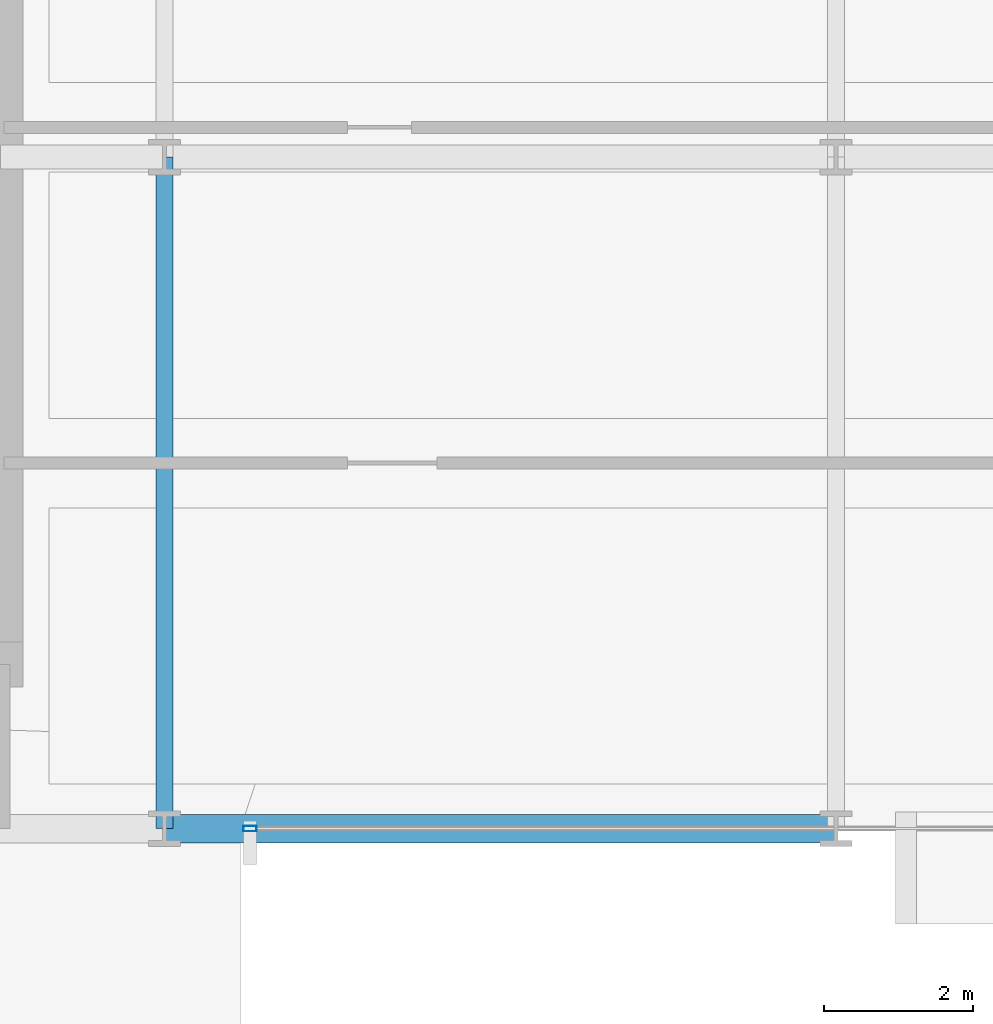
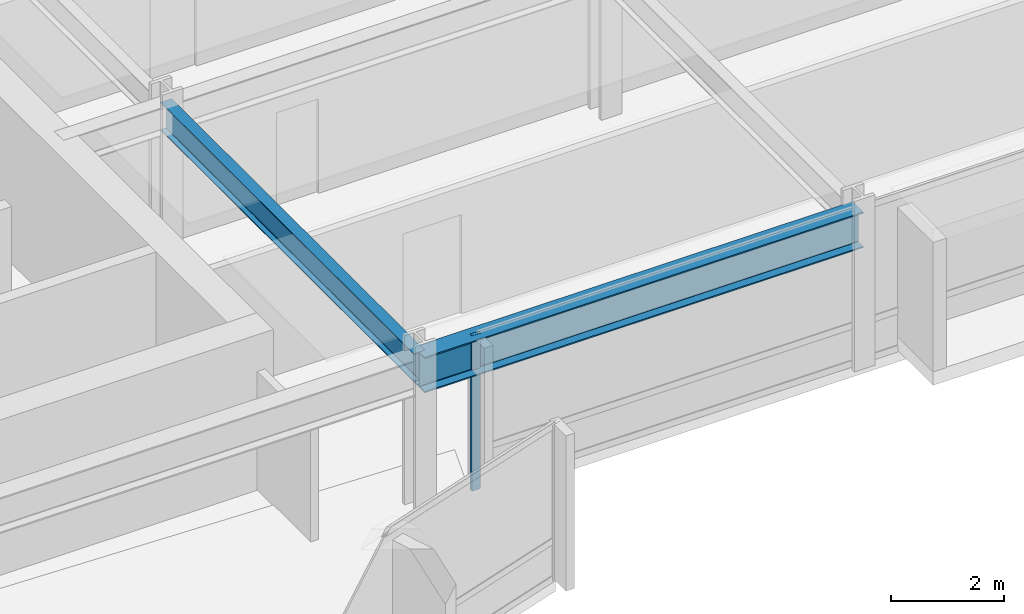
# One storey, part 12 of 35: 2 beams, 1 member, 1 element without a shape of its own.
"""IFC4 building model written with IfcOpenShell, lengths in metres."""

import ifcopenshell
import ifcopenshell.guid

model = None  # the IFC model being written
_history = None  # IfcOwnerHistory: only IFC2X3 demands one
_inside = {}  # id of a spatial element -> (the spatial element, [elements in it])
_under = {}  # id of a project, library or spatial element -> (it, [spatial elements below it])
_declared = {}  # id of a project -> (the project, [libraries it declares])
_typed = {}  # id of a type object -> (the type object, [elements of that type])
_made_of = {}  # id of a material, layer set ... -> (it, [elements and type objects made of it])


def new_model(schema):
    """Start an empty IFC model of exactly this schema.

    Asked for "IFC4X3", IfcOpenShell would pick the latest addendum, in which some entities
    have other attributes; the version numbers below select the first issue.
    IFC2X3 requires an IfcOwnerHistory on every rooted entity: one is made here for all.
    """
    global model, _history
    if schema == "IFC4X3":
        model = ifcopenshell.file(schema_version=(4, 3, 0, 0))
    else:
        model = ifcopenshell.file(schema=schema)
    _inside.clear()
    _under.clear()
    _declared.clear()
    _typed.clear()
    _made_of.clear()
    _history = None
    if model.schema == "IFC2X3":
        org = make("IfcOrganization", Name="unknown")
        user = make(
            "IfcPersonAndOrganization",
            ThePerson=make("IfcPerson", FamilyName="unknown"),
            TheOrganization=org,
        )
        app = make(
            "IfcApplication",
            ApplicationDeveloper=org,
            Version="unknown",
            ApplicationFullName="unknown",
            ApplicationIdentifier="unknown",
        )
        _history = make(
            "IfcOwnerHistory",
            OwningUser=user,
            OwningApplication=app,
            ChangeAction="ADDED",
            CreationDate=0,
        )
    return model


def make(cls, **values):
    """One entity of the class cls with the attributes given. An attribute that is None is left unset."""
    return model.create_entity(
        cls, **{name: value for name, value in values.items() if value is not None}
    )


def rooted(cls, **values):
    """An entity with a GlobalId (a new one), such as an element, a storey or a relation."""
    return make(cls, GlobalId=ifcopenshell.guid.new(), OwnerHistory=_history, **values)


def si_unit(unit_type, name, prefix=None):
    """IfcSIUnit, for example si_unit("LENGTHUNIT", "METRE", prefix="MILLI")."""
    return make("IfcSIUnit", UnitType=unit_type, Prefix=prefix, Name=name)


def assignment(units):
    """IfcUnitAssignment: the units of a project."""
    return None if units is None else make("IfcUnitAssignment", Units=units)


def point(xyz):
    """IfcCartesianPoint."""
    return None if xyz is None else make("IfcCartesianPoint", Coordinates=xyz)


def direction(xyz):
    """IfcDirection."""
    return None if xyz is None else make("IfcDirection", DirectionRatios=xyz)


def frame(location, z_axis=None, x_axis=None):
    """IfcAxis2Placement3D, a coordinate frame: its origin and axes. An axis left out is left unset."""
    return make(
        "IfcAxis2Placement3D",
        Location=point(location),
        Axis=direction(z_axis),
        RefDirection=direction(x_axis),
    )


def frame_2d(location, x_axis=None):
    """IfcAxis2Placement2D, a coordinate frame in the plane: its origin and x axis."""
    return make(
        "IfcAxis2Placement2D", Location=point(location), RefDirection=direction(x_axis)
    )


def origin():
    """The frame at (0, 0, 0) with its axes left unset."""
    return frame((0.0, 0.0, 0.0))


def origin_2d():
    """The frame at (0, 0) in the plane with its x axis left unset."""
    return frame_2d((0.0, 0.0))


def place(relative_to, where):
    """IfcLocalPlacement: puts the frame where relative to a parent placement (None: the world)."""
    return make(
        "IfcLocalPlacement", PlacementRelTo=relative_to, RelativePlacement=where
    )


def context(
    kind, dimensions, precision=None, world=None, true_north=None, identifier=None
):
    """IfcGeometricRepresentationContext, for example the 3D "Model" context."""
    return make(
        "IfcGeometricRepresentationContext",
        ContextIdentifier=identifier,
        ContextType=kind,
        CoordinateSpaceDimension=dimensions,
        Precision=precision,
        WorldCoordinateSystem=world,
        TrueNorth=true_north,
    )


def subcontext(parent, identifier, kind, view, scale=None):
    """IfcGeometricRepresentationSubContext, for example "Body" below "Model"."""
    return make(
        "IfcGeometricRepresentationSubContext",
        ContextIdentifier=identifier,
        ContextType=kind,
        ParentContext=parent,
        TargetScale=scale,
        TargetView=view,
    )


def project(units=None, contexts=None):
    """IfcProject with its units and contexts."""
    return rooted(
        "IfcProject",
        Name="project",
        RepresentationContexts=contexts,
        UnitsInContext=assignment(units),
    )


def spatial(cls, under=None, at=None, **own):
    """A site, building, storey or space (cls), placed at a placement, below another one or the project."""
    s = rooted(cls, ObjectPlacement=at, **own)
    if under is not None:
        _under.setdefault(under.id(), (under, []))[1].append(s)
    return s


def profile(cls, at=None, kind="AREA", **sizes):
    """A parametric profile (cls). Its sizes go by their IFC names, for example OverallWidth=200.0."""
    return make(cls, ProfileType=kind, Position=at, **sizes)


def hollow_rectangle(**sizes):
    """IfcRectangleHollowProfileDef."""
    return profile("IfcRectangleHollowProfileDef", **sizes)


def i_section(**sizes):
    """IfcIShapeProfileDef."""
    return profile("IfcIShapeProfileDef", **sizes)


def extrude(swept, where, along, depth):
    """IfcExtrudedAreaSolid: the profile swept, set in the frame where, extruded along a direction by depth."""
    return make(
        "IfcExtrudedAreaSolid",
        SweptArea=swept,
        Position=where,
        ExtrudedDirection=direction(along),
        Depth=depth,
    )


def shape(context_of_items, identifier, shape_type, items):
    """IfcShapeRepresentation: the items that make up one representation, for example the "Body"."""
    return make(
        "IfcShapeRepresentation",
        ContextOfItems=context_of_items,
        RepresentationIdentifier=identifier,
        RepresentationType=shape_type,
        Items=items,
    )


def material(Name=None, Category=None):
    """IfcMaterial."""
    return make("IfcMaterial", Name=Name, Category=Category)


def layer(
    of_material, thickness, ventilated=None, Name=None, Category=None, Priority=None
):
    """IfcMaterialLayer: one layer of a wall or slab, of a material (None: an air gap)."""
    return make(
        "IfcMaterialLayer",
        Material=of_material,
        LayerThickness=thickness,
        IsVentilated=ventilated,
        Name=Name,
        Category=Category,
        Priority=Priority,
    )


def layer_set(layers, Name=None):
    """IfcMaterialLayerSet."""
    return make("IfcMaterialLayerSet", MaterialLayers=layers, LayerSetName=Name)


def material_profile(
    of_material, cross_section, Name=None, Category=None, Priority=None
):
    """IfcMaterialProfile: a cross section and its material."""
    return make(
        "IfcMaterialProfile",
        Name=Name,
        Material=of_material,
        Profile=cross_section,
        Priority=Priority,
        Category=Category,
    )


def profile_set(profiles, Name=None, composite=None):
    """IfcMaterialProfileSet."""
    return make(
        "IfcMaterialProfileSet",
        Name=Name,
        MaterialProfiles=profiles,
        CompositeProfile=composite,
    )


def made_of(thing, what):
    """Note that an element or type object is made of a material, layer set ...; save() writes the relation."""
    if what is not None:
        _made_of.setdefault(what.id(), (what, []))[1].append(thing)
    return thing


def type_object(cls, material=None, **own):
    """A type object (cls), such as IfcWallType, which elements share."""
    return made_of(rooted(cls, **own), material)


def element(
    cls,
    number,
    at=None,
    inside=None,
    cuts=None,
    type_object=None,
    material=None,
    context=None,
    identifier="Body",
    shape_type=None,
    held_by="IfcProductDefinitionShape",
    body=None,
    shapes=None,
    **own,
):
    """One element of the class cls, such as IfcWall. Its Tag is "e" and its number.

    at: its placement. inside: the storey or other place that contains it. cuts: it is an
    opening in that element (IfcRelVoidsElement). A single representation is given by context,
    identifier, shape_type and body (its items); several are given by shapes. held_by: the class
    of the entity that holds the representations. save() writes the other relations.
    """
    e = rooted(cls, Tag="e%d" % number, ObjectPlacement=at, **own)
    if body is not None:
        shapes = [shape(context, identifier, shape_type, body)]
    if shapes is not None:
        e.Representation = make(held_by, Representations=shapes)
    if inside is not None:
        _inside.setdefault(inside.id(), (inside, []))[1].append(e)
    if cuts is not None:
        rooted(
            "IfcRelVoidsElement", RelatingBuildingElement=cuts, RelatedOpeningElement=e
        )
    if type_object is not None:
        _typed.setdefault(type_object.id(), (type_object, []))[1].append(e)
    return made_of(e, material)


def aggregate(whole, parts):
    """IfcRelAggregates: a whole, such as a stair, and the parts it consists of."""
    return rooted("IfcRelAggregates", RelatingObject=whole, RelatedObjects=parts)


def save(model, path):
    """Write the relations noted so far, then the file.

    IfcRelAggregates (storeys below a building ...), IfcRelContainedInSpatialStructure (elements
    in a storey), IfcRelDefinesByType, IfcRelAssociatesMaterial and IfcRelDeclares: one each for
    every whole, place, type object, material and project.
    """
    for whole, parts in _under.values():
        aggregate(whole, parts)
    for where, things in _inside.values():
        rooted(
            "IfcRelContainedInSpatialStructure",
            RelatedElements=things,
            RelatingStructure=where,
        )
    for kind, things in _typed.values():
        rooted("IfcRelDefinesByType", RelatedObjects=things, RelatingType=kind)
    for what, things in _made_of.values():
        rooted("IfcRelAssociatesMaterial", RelatedObjects=things, RelatingMaterial=what)
    for by, libraries in _declared.values():
        rooted("IfcRelDeclares", RelatingContext=by, RelatedDefinitions=libraries)
    model.write(path)


model = new_model("IFC4")

# Units and contexts
model_context = context("Model", 3, precision=1e-05, world=origin(), true_north=direction((0.0, 1.0)))
body_context = subcontext(model_context, "Body", "Model", "MODEL_VIEW")
ifc_project = project(units=[si_unit("LENGTHUNIT", "METRE"), si_unit("AREAUNIT", "SQUARE_METRE"), si_unit("VOLUMEUNIT", "CUBIC_METRE"), si_unit("PLANEANGLEUNIT", "RADIAN"), si_unit("MASSUNIT", "GRAM", prefix="KILO")], contexts=[model_context])

# Site, building, storey
site_placement = place(None, origin())
site = spatial("IfcSite", under=ifc_project, at=site_placement, CompositionType="ELEMENT")
building_placement = place(site_placement, origin())
building = spatial("IfcBuilding", under=site, at=building_placement, Name="Solvaryn Broadcast Tower", CompositionType="ELEMENT")
storey_placement = place(building_placement, frame((0.0, 0.0, 80.39990234375)))
storey = spatial("IfcBuildingStorey", under=building, at=storey_placement, Name="L19", CompositionType="ELEMENT", Elevation=80.39990234375)

# Beams
ifc_material_1 = material(Name="Steel ASTM A992 Grade 50", Category="steel")
ifc_material_profile_1 = material_profile(ifc_material_1, i_section(OverallWidth=0.22802734375, OverallDepth=0.60791015625, WebThickness=0.01123046875, FlangeThickness=0.017333984375, FilletRadius=0.014892578125, at=origin_2d()))
ifc_profile_set_1 = profile_set([ifc_material_profile_1], Name="Steel ASTM A992 Grade 50")
beam_type_1 = type_object("IfcBeamType", Name="BM-B2-W24X76", PredefinedType="BEAM", material=ifc_profile_set_1)
beam_1_placement = place(storey_placement, frame((45.0, 9.0, 3.066162109375), z_axis=(0.0, 1.0, 0.0), x_axis=(-1.0, 0.0, 0.0)))
element("IfcBeam", 1, at=beam_1_placement, inside=storey, type_object=beam_type_1, Name="L19 Primary Beam Y (9-18 @ X=45)", PredefinedType="BEAM", context=body_context, shape_type="SweptSolid", body=[
    extrude(i_section(OverallWidth=0.22802734375, OverallDepth=0.60791015625, WebThickness=0.01123046875, FlangeThickness=0.017333984375, FilletRadius=0.014892578125, at=origin_2d()), origin(), (0.0, 0.0, 1.0), 9.0),
])
ifc_material_2 = material(Name="Steel ASTM A992 Grade 50", Category="steel")
ifc_material_profile_2 = material_profile(ifc_material_2, i_section(OverallWidth=0.381103515625, OverallDepth=0.77294921875, WebThickness=0.0166015625, FlangeThickness=0.027099609375, FilletRadius=0.01806640625, at=origin_2d()))
ifc_profile_set_2 = profile_set([ifc_material_profile_2], Name="Steel ASTM A992 Grade 50")
beam_type_2 = type_object("IfcBeamType", Name="BM-SP1-W30X173", PredefinedType="USERDEFINED", material=ifc_profile_set_2)
beam_2_placement = place(storey_placement, frame((45.0, 9.0, 2.983642578125), z_axis=(1.0, 0.0, 0.0), x_axis=(0.0, 1.0, 0.0)))
element("IfcBeam", 2, at=beam_2_placement, inside=storey, type_object=beam_type_2, Name="L19 Spandrel Beam X (45-54 @ Y=9)", ObjectType="SPANDREL", PredefinedType="USERDEFINED", context=body_context, shape_type="SweptSolid", body=[
    extrude(i_section(OverallWidth=0.381103515625, OverallDepth=0.77294921875, WebThickness=0.0166015625, FlangeThickness=0.027099609375, FilletRadius=0.01806640625, at=origin_2d()), origin(), (0.0, 0.0, 1.0), 9.0),
])

# Curtain wall, member
ifc_material_3 = material(Name="Aluminium and Terracotta Unitised Curtain Wall", Category="masonry")
ifc_layer = layer(ifc_material_3, 0.199951171875)
ifc_layer_set = layer_set([ifc_layer], Name="CW-SYS2-LOWMID")
curtain_wall_type = type_object("IfcCurtainWallType", Name="CW-SYS2-LOWMID", PredefinedType="NOTDEFINED", material=ifc_layer_set)
curtain_wall_placement = place(storey_placement, origin())
curtain_wall = element("IfcCurtainWall", 3, at=curtain_wall_placement, inside=storey, type_object=curtain_wall_type, Name="L19 Curtain Wall S2", PredefinedType="NOTDEFINED")
ifc_material_4 = material(Name="Anodised Aluminium 6063-T6", Category="aluminium")
ifc_material_profile_3 = material_profile(ifc_material_4, hollow_rectangle(XDim=0.074951171875, YDim=0.179931640625, WallThickness=0.00390625, InnerFilletRadius=0.00390625, OuterFilletRadius=0.008056640625, at=origin_2d()))
ifc_profile_set_3 = profile_set([ifc_material_profile_3], Name="Anodised Aluminium 6063-T6")
member_type = type_object("IfcMemberType", Name="CW-MUL-180", PredefinedType="MULLION", material=ifc_profile_set_3)
member_placement = place(storey_placement, frame((46.14599609375, 9.0, 0.0), z_axis=(0.0, 0.0, 1.0), x_axis=(0.0, 1.0, 0.0)))
member = element("IfcMember", 4, at=member_placement, type_object=member_type, Name="CWS2 mullion 1", PredefinedType="MULLION", context=body_context, shape_type="SweptSolid", body=[
    extrude(hollow_rectangle(XDim=0.074951171875, YDim=0.179931640625, WallThickness=0.00390625, InnerFilletRadius=0.00390625, OuterFilletRadius=0.008056640625, at=origin_2d()), origin(), (0.0, 0.0, 1.0), 3.3701171875),
])
aggregate(curtain_wall, [member])

save(model, "model.ifc")
